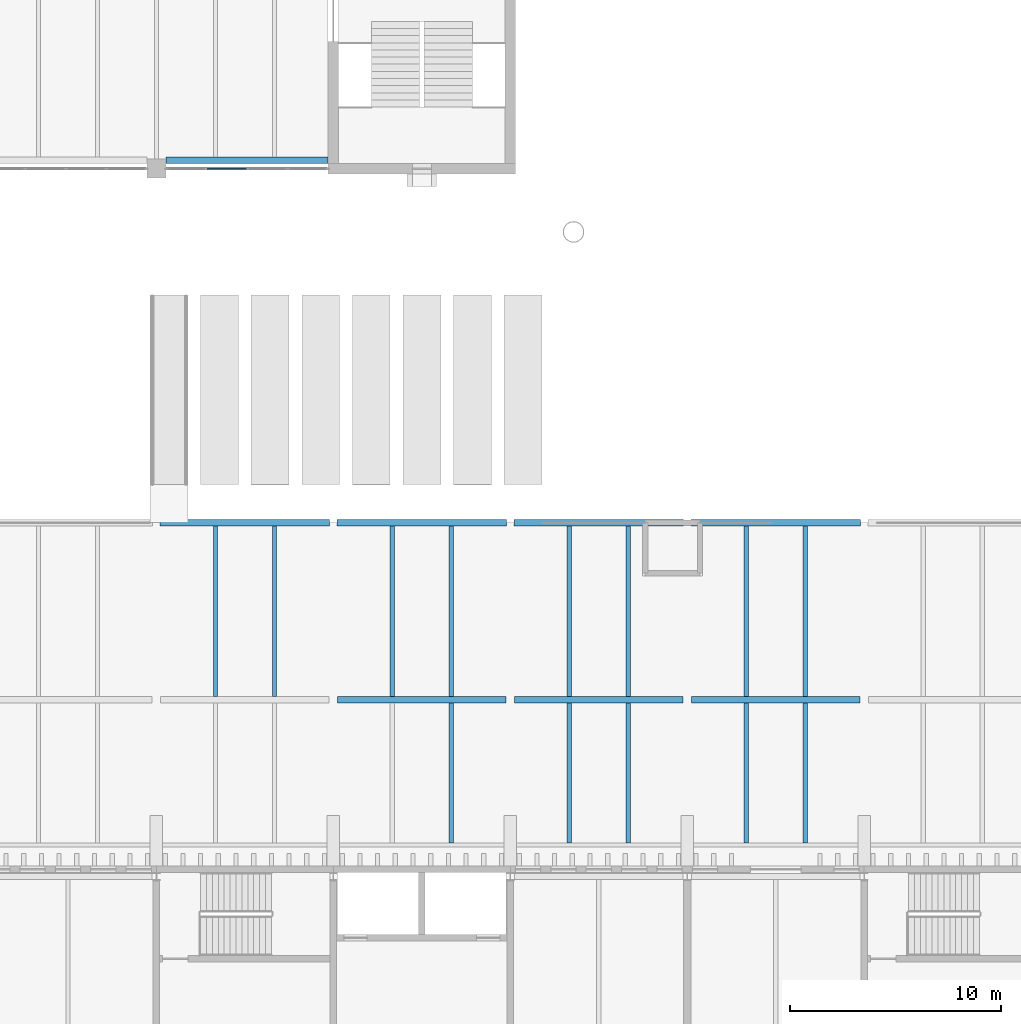
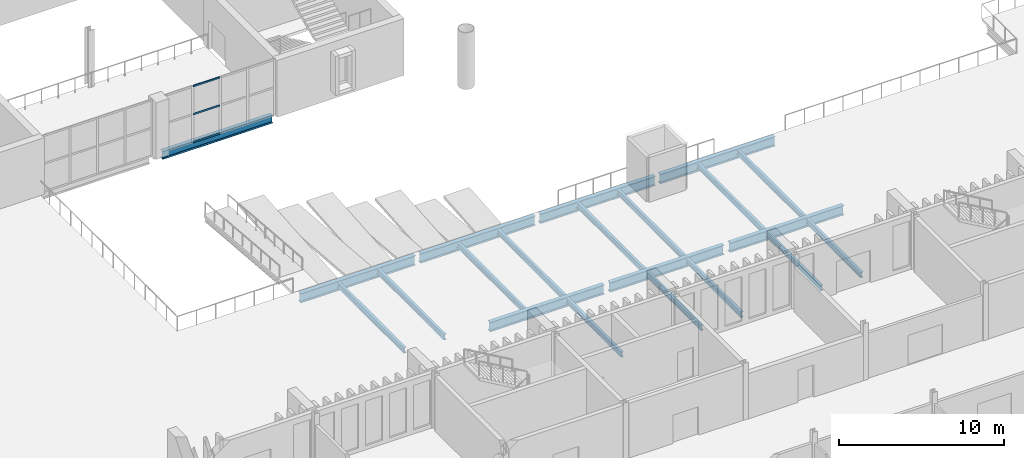
# One storey, part 31 of 96: 21 beams, 3 members, 1 element without a shape of its own.
"""IFC4 building model written with IfcOpenShell, lengths in metres."""

import ifcopenshell
import ifcopenshell.guid

model = None  # the IFC model being written
_history = None  # IfcOwnerHistory: only IFC2X3 demands one
_inside = {}  # id of a spatial element -> (the spatial element, [elements in it])
_under = {}  # id of a project, library or spatial element -> (it, [spatial elements below it])
_declared = {}  # id of a project -> (the project, [libraries it declares])
_typed = {}  # id of a type object -> (the type object, [elements of that type])
_made_of = {}  # id of a material, layer set ... -> (it, [elements and type objects made of it])


def new_model(schema):
    """Start an empty IFC model of exactly this schema.

    Asked for "IFC4X3", IfcOpenShell would pick the latest addendum, in which some entities
    have other attributes; the version numbers below select the first issue.
    IFC2X3 requires an IfcOwnerHistory on every rooted entity: one is made here for all.
    """
    global model, _history
    if schema == "IFC4X3":
        model = ifcopenshell.file(schema_version=(4, 3, 0, 0))
    else:
        model = ifcopenshell.file(schema=schema)
    _inside.clear()
    _under.clear()
    _declared.clear()
    _typed.clear()
    _made_of.clear()
    _history = None
    if model.schema == "IFC2X3":
        org = make("IfcOrganization", Name="unknown")
        user = make(
            "IfcPersonAndOrganization",
            ThePerson=make("IfcPerson", FamilyName="unknown"),
            TheOrganization=org,
        )
        app = make(
            "IfcApplication",
            ApplicationDeveloper=org,
            Version="unknown",
            ApplicationFullName="unknown",
            ApplicationIdentifier="unknown",
        )
        _history = make(
            "IfcOwnerHistory",
            OwningUser=user,
            OwningApplication=app,
            ChangeAction="ADDED",
            CreationDate=0,
        )
    return model


def make(cls, **values):
    """One entity of the class cls with the attributes given. An attribute that is None is left unset."""
    return model.create_entity(
        cls, **{name: value for name, value in values.items() if value is not None}
    )


def rooted(cls, **values):
    """An entity with a GlobalId (a new one), such as an element, a storey or a relation."""
    return make(cls, GlobalId=ifcopenshell.guid.new(), OwnerHistory=_history, **values)


def si_unit(unit_type, name, prefix=None):
    """IfcSIUnit, for example si_unit("LENGTHUNIT", "METRE", prefix="MILLI")."""
    return make("IfcSIUnit", UnitType=unit_type, Prefix=prefix, Name=name)


def assignment(units):
    """IfcUnitAssignment: the units of a project."""
    return None if units is None else make("IfcUnitAssignment", Units=units)


def point(xyz):
    """IfcCartesianPoint."""
    return None if xyz is None else make("IfcCartesianPoint", Coordinates=xyz)


def direction(xyz):
    """IfcDirection."""
    return None if xyz is None else make("IfcDirection", DirectionRatios=xyz)


def frame(location, z_axis=None, x_axis=None):
    """IfcAxis2Placement3D, a coordinate frame: its origin and axes. An axis left out is left unset."""
    return make(
        "IfcAxis2Placement3D",
        Location=point(location),
        Axis=direction(z_axis),
        RefDirection=direction(x_axis),
    )


def frame_2d(location, x_axis=None):
    """IfcAxis2Placement2D, a coordinate frame in the plane: its origin and x axis."""
    return make(
        "IfcAxis2Placement2D", Location=point(location), RefDirection=direction(x_axis)
    )


def origin():
    """The frame at (0, 0, 0) with its axes left unset."""
    return frame((0.0, 0.0, 0.0))


def origin_2d():
    """The frame at (0, 0) in the plane with its x axis left unset."""
    return frame_2d((0.0, 0.0))


def place(relative_to, where):
    """IfcLocalPlacement: puts the frame where relative to a parent placement (None: the world)."""
    return make(
        "IfcLocalPlacement", PlacementRelTo=relative_to, RelativePlacement=where
    )


def context(
    kind, dimensions, precision=None, world=None, true_north=None, identifier=None
):
    """IfcGeometricRepresentationContext, for example the 3D "Model" context."""
    return make(
        "IfcGeometricRepresentationContext",
        ContextIdentifier=identifier,
        ContextType=kind,
        CoordinateSpaceDimension=dimensions,
        Precision=precision,
        WorldCoordinateSystem=world,
        TrueNorth=true_north,
    )


def subcontext(parent, identifier, kind, view, scale=None):
    """IfcGeometricRepresentationSubContext, for example "Body" below "Model"."""
    return make(
        "IfcGeometricRepresentationSubContext",
        ContextIdentifier=identifier,
        ContextType=kind,
        ParentContext=parent,
        TargetScale=scale,
        TargetView=view,
    )


def project(units=None, contexts=None):
    """IfcProject with its units and contexts."""
    return rooted(
        "IfcProject",
        Name="project",
        RepresentationContexts=contexts,
        UnitsInContext=assignment(units),
    )


def spatial(cls, under=None, at=None, **own):
    """A site, building, storey or space (cls), placed at a placement, below another one or the project."""
    s = rooted(cls, ObjectPlacement=at, **own)
    if under is not None:
        _under.setdefault(under.id(), (under, []))[1].append(s)
    return s


def profile(cls, at=None, kind="AREA", **sizes):
    """A parametric profile (cls). Its sizes go by their IFC names, for example OverallWidth=200.0."""
    return make(cls, ProfileType=kind, Position=at, **sizes)


def rectangle(**sizes):
    """IfcRectangleProfileDef."""
    return profile("IfcRectangleProfileDef", **sizes)


def i_section(**sizes):
    """IfcIShapeProfileDef."""
    return profile("IfcIShapeProfileDef", **sizes)


def extrude(swept, where, along, depth):
    """IfcExtrudedAreaSolid: the profile swept, set in the frame where, extruded along a direction by depth."""
    return make(
        "IfcExtrudedAreaSolid",
        SweptArea=swept,
        Position=where,
        ExtrudedDirection=direction(along),
        Depth=depth,
    )


def shape(context_of_items, identifier, shape_type, items):
    """IfcShapeRepresentation: the items that make up one representation, for example the "Body"."""
    return make(
        "IfcShapeRepresentation",
        ContextOfItems=context_of_items,
        RepresentationIdentifier=identifier,
        RepresentationType=shape_type,
        Items=items,
    )


def material(Name=None, Category=None):
    """IfcMaterial."""
    return make("IfcMaterial", Name=Name, Category=Category)


def layer(
    of_material, thickness, ventilated=None, Name=None, Category=None, Priority=None
):
    """IfcMaterialLayer: one layer of a wall or slab, of a material (None: an air gap)."""
    return make(
        "IfcMaterialLayer",
        Material=of_material,
        LayerThickness=thickness,
        IsVentilated=ventilated,
        Name=Name,
        Category=Category,
        Priority=Priority,
    )


def layer_set(layers, Name=None):
    """IfcMaterialLayerSet."""
    return make("IfcMaterialLayerSet", MaterialLayers=layers, LayerSetName=Name)


def material_profile(
    of_material, cross_section, Name=None, Category=None, Priority=None
):
    """IfcMaterialProfile: a cross section and its material."""
    return make(
        "IfcMaterialProfile",
        Name=Name,
        Material=of_material,
        Profile=cross_section,
        Priority=Priority,
        Category=Category,
    )


def profile_set(profiles, Name=None, composite=None):
    """IfcMaterialProfileSet."""
    return make(
        "IfcMaterialProfileSet",
        Name=Name,
        MaterialProfiles=profiles,
        CompositeProfile=composite,
    )


def made_of(thing, what):
    """Note that an element or type object is made of a material, layer set ...; save() writes the relation."""
    if what is not None:
        _made_of.setdefault(what.id(), (what, []))[1].append(thing)
    return thing


def type_object(cls, material=None, **own):
    """A type object (cls), such as IfcWallType, which elements share."""
    return made_of(rooted(cls, **own), material)


def element(
    cls,
    number,
    at=None,
    inside=None,
    cuts=None,
    type_object=None,
    material=None,
    context=None,
    identifier="Body",
    shape_type=None,
    held_by="IfcProductDefinitionShape",
    body=None,
    shapes=None,
    **own,
):
    """One element of the class cls, such as IfcWall. Its Tag is "e" and its number.

    at: its placement. inside: the storey or other place that contains it. cuts: it is an
    opening in that element (IfcRelVoidsElement). A single representation is given by context,
    identifier, shape_type and body (its items); several are given by shapes. held_by: the class
    of the entity that holds the representations. save() writes the other relations.
    """
    e = rooted(cls, Tag="e%d" % number, ObjectPlacement=at, **own)
    if body is not None:
        shapes = [shape(context, identifier, shape_type, body)]
    if shapes is not None:
        e.Representation = make(held_by, Representations=shapes)
    if inside is not None:
        _inside.setdefault(inside.id(), (inside, []))[1].append(e)
    if cuts is not None:
        rooted(
            "IfcRelVoidsElement", RelatingBuildingElement=cuts, RelatedOpeningElement=e
        )
    if type_object is not None:
        _typed.setdefault(type_object.id(), (type_object, []))[1].append(e)
    return made_of(e, material)


def aggregate(whole, parts):
    """IfcRelAggregates: a whole, such as a stair, and the parts it consists of."""
    return rooted("IfcRelAggregates", RelatingObject=whole, RelatedObjects=parts)


def save(model, path):
    """Write the relations noted so far, then the file.

    IfcRelAggregates (storeys below a building ...), IfcRelContainedInSpatialStructure (elements
    in a storey), IfcRelDefinesByType, IfcRelAssociatesMaterial and IfcRelDeclares: one each for
    every whole, place, type object, material and project.
    """
    for whole, parts in _under.values():
        aggregate(whole, parts)
    for where, things in _inside.values():
        rooted(
            "IfcRelContainedInSpatialStructure",
            RelatedElements=things,
            RelatingStructure=where,
        )
    for kind, things in _typed.values():
        rooted("IfcRelDefinesByType", RelatedObjects=things, RelatingType=kind)
    for what, things in _made_of.values():
        rooted("IfcRelAssociatesMaterial", RelatedObjects=things, RelatingMaterial=what)
    for by, libraries in _declared.values():
        rooted("IfcRelDeclares", RelatingContext=by, RelatedDefinitions=libraries)
    model.write(path)


model = new_model("IFC4")

# Units and contexts
model_context = context("Model", 3, precision=1e-05, world=origin(), true_north=direction((0.0, 1.0)))
body_context = subcontext(model_context, "Body", "Model", "MODEL_VIEW")
ifc_project = project(units=[si_unit("LENGTHUNIT", "METRE"), si_unit("AREAUNIT", "SQUARE_METRE"), si_unit("VOLUMEUNIT", "CUBIC_METRE"), si_unit("PLANEANGLEUNIT", "RADIAN"), si_unit("MASSUNIT", "GRAM", prefix="KILO")], contexts=[model_context])

# Site, building, storey
site_placement = place(None, origin())
site = spatial("IfcSite", under=ifc_project, at=site_placement, CompositionType="ELEMENT")
building_placement = place(site_placement, origin())
building = spatial("IfcBuilding", under=site, at=building_placement, Name="Cresset Court Congress Hotel", CompositionType="ELEMENT")
storey_placement = place(building_placement, frame((0.0, 0.0, 6.0)))
storey = spatial("IfcBuildingStorey", under=building, at=storey_placement, Name="L01", CompositionType="ELEMENT", Elevation=6.0)

# Curtain wall, members
ifc_material_1 = material(Name="Aluminium and glass", Category="aluminium")
ifc_layer = layer(ifc_material_1, 0.199951171875)
ifc_layer_set = layer_set([ifc_layer], Name="Foyer curtain wall 1925 module")
curtain_wall_type = type_object("IfcCurtainWallType", Name="Foyer curtain wall 1925 module", PredefinedType="NOTDEFINED", material=ifc_layer_set)
curtain_wall_placement = place(storey_placement, origin())
curtain_wall = element("IfcCurtainWall", 1, at=curtain_wall_placement, inside=storey, type_object=curtain_wall_type, Name="Curtain wall CX-014", PredefinedType="NOTDEFINED")
ifc_material_2 = material(Name="Anodised aluminium", Category="aluminium")
ifc_material_profile_1 = material_profile(ifc_material_2, rectangle(XDim=0.06005859375, YDim=0.1201171875, at=origin_2d()), Name="AL60x120")
ifc_profile_set_1 = profile_set([ifc_material_profile_1], Name="Anodised aluminium")
member_type = type_object("IfcMemberType", Name="Curtain wall transom 60x120", PredefinedType="USERDEFINED", material=ifc_profile_set_1)
member_1_placement = place(storey_placement, frame((103.205078125, 58.800048828125, 0.030029296875), z_axis=(1.0, 0.0, 0.0), x_axis=(0.0, 1.0, 0.0)))
member_1 = element("IfcMember", 2, at=member_1_placement, type_object=member_type, Name="C-X1 transom 2.1", ObjectType="TRANSOM", PredefinedType="USERDEFINED", context=body_context, shape_type="SweptSolid", body=[
    extrude(rectangle(XDim=0.06005859375, YDim=0.1201171875, at=origin_2d()), origin(), (0.0, 0.0, 1.0), 1.864990234375),
])
member_2_placement = place(storey_placement, frame((103.205078125, 58.800048828125, 2.10009765625), z_axis=(1.0, 0.0, 0.0), x_axis=(0.0, 1.0, 0.0)))
member_2 = element("IfcMember", 3, at=member_2_placement, type_object=member_type, Name="C-X1 transom 2.2", ObjectType="TRANSOM", PredefinedType="USERDEFINED", context=body_context, shape_type="SweptSolid", body=[
    extrude(rectangle(XDim=0.06005859375, YDim=0.1201171875, at=origin_2d()), origin(), (0.0, 0.0, 1.0), 1.864990234375),
])
member_3_placement = place(storey_placement, frame((103.205078125, 58.800048828125, 4.169921875), z_axis=(1.0, 0.0, 0.0), x_axis=(0.0, 1.0, 0.0)))
member_3 = element("IfcMember", 4, at=member_3_placement, type_object=member_type, Name="C-X1 transom 2.3", ObjectType="TRANSOM", PredefinedType="USERDEFINED", context=body_context, shape_type="SweptSolid", body=[
    extrude(rectangle(XDim=0.06005859375, YDim=0.1201171875, at=origin_2d()), origin(), (0.0, 0.0, 1.0), 1.864990234375),
])
aggregate(curtain_wall, [member_1, member_2, member_3])

# Beams
ifc_material_3 = material(Name="Structural steel Q355B", Category="steel")
ifc_material_profile_2 = material_profile(ifc_material_3, i_section(OverallWidth=0.300048828125, OverallDepth=0.587890625, WebThickness=0.011962890625, FlangeThickness=0.02001953125, FilletRadius=0.028076171875, at=origin_2d()), Name="HM588x300x12x20")
ifc_profile_set_2 = profile_set([ifc_material_profile_2], Name="Structural steel Q355B")
beam_type_1 = type_object("IfcBeamType", Name="Steel HM588x300x12x20 girder", PredefinedType="BEAM", material=ifc_profile_set_2)
beam_1_placement = place(storey_placement, frame((101.25, 59.199951171875, -0.444091796875), z_axis=(1.0, 0.0, 0.0), x_axis=(0.0, 1.0, 0.0)))
element("IfcBeam", 5, at=beam_1_placement, inside=storey, type_object=beam_type_1, Name="Girder CG-F018", PredefinedType="BEAM", context=body_context, shape_type="SweptSolid", body=[
    extrude(i_section(OverallWidth=0.300048828125, OverallDepth=0.587890625, WebThickness=0.011962890625, FlangeThickness=0.02001953125, FilletRadius=0.028076171875, at=origin_2d()), origin(), (0.0, 0.0, 1.0), 7.699951171875),
])
ifc_material_4 = material(Name="Structural steel Q355B", Category="steel")
ifc_material_profile_3 = material_profile(ifc_material_4, i_section(OverallWidth=0.199951171875, OverallDepth=0.39990234375, WebThickness=0.008056640625, FlangeThickness=0.012939453125, FilletRadius=0.01611328125, at=origin_2d()), Name="HN400x200x8x13")
ifc_profile_set_3 = profile_set([ifc_material_profile_3], Name="Structural steel Q355B")
beam_type_2 = type_object("IfcBeamType", Name="Steel beam HN400x200x8x13", PredefinedType="BEAM", material=ifc_profile_set_3)
for number, where, z_axis, x_axis, name in (
    (6, (103.60009765625, 33.75, -0.35009765625), (0.0, 1.0, 0.0), (-1.0, 0.0, 0.0), "S.dbm.L01.S046"),
    (7, (106.39990234375, 33.75, -0.35009765625), (0.0, 1.0, 0.0), (-1.0, 0.0, 0.0), "S.dbm.L01.S048"),
    (8, (112.0, 33.75, -0.35009765625), (0.0, 1.0, 0.0), (-1.0, 0.0, 0.0), "S.dbm.L01.S050"),
):
    element("IfcBeam", number, at=place(storey_placement, frame(where, z_axis=z_axis, x_axis=x_axis)), inside=storey, type_object=beam_type_2, Name=name, PredefinedType="BEAM", context=body_context, shape_type="SweptSolid", body=[
        extrude(i_section(OverallWidth=0.199951171875, OverallDepth=0.39990234375, WebThickness=0.008056640625, FlangeThickness=0.012939453125, FilletRadius=0.01611328125, at=origin_2d()), origin(), (0.0, 0.0, 1.0), 8.10009765625),
    ])
beam_2_placement = place(storey_placement, frame((114.800048828125, 26.800048828125, -0.35009765625), z_axis=(0.0, 1.0, 0.0), x_axis=(-1.0, 0.0, 0.0)))
element("IfcBeam", 9, at=beam_2_placement, inside=storey, type_object=beam_type_2, Name="S.dbm.L01.S051", PredefinedType="BEAM", context=body_context, shape_type="SweptSolid", body=[
    extrude(i_section(OverallWidth=0.199951171875, OverallDepth=0.39990234375, WebThickness=0.008056640625, FlangeThickness=0.012939453125, FilletRadius=0.01611328125, at=origin_2d()), origin(), (0.0, 0.0, 1.0), 6.64990234375),
])
beam_3_placement = place(storey_placement, frame((114.800048828125, 33.75, -0.35009765625), z_axis=(0.0, 1.0, 0.0), x_axis=(-1.0, 0.0, 0.0)))
element("IfcBeam", 10, at=beam_3_placement, inside=storey, type_object=beam_type_2, Name="S.dbm.L01.S052", PredefinedType="BEAM", context=body_context, shape_type="SweptSolid", body=[
    extrude(i_section(OverallWidth=0.199951171875, OverallDepth=0.39990234375, WebThickness=0.008056640625, FlangeThickness=0.012939453125, FilletRadius=0.01611328125, at=origin_2d()), origin(), (0.0, 0.0, 1.0), 8.10009765625),
])
beam_4_placement = place(storey_placement, frame((120.39990234375, 26.800048828125, -0.35009765625), z_axis=(0.0, 1.0, 0.0), x_axis=(-1.0, 0.0, 0.0)))
element("IfcBeam", 11, at=beam_4_placement, inside=storey, type_object=beam_type_2, Name="S.dbm.L01.S053", PredefinedType="BEAM", context=body_context, shape_type="SweptSolid", body=[
    extrude(i_section(OverallWidth=0.199951171875, OverallDepth=0.39990234375, WebThickness=0.008056640625, FlangeThickness=0.012939453125, FilletRadius=0.01611328125, at=origin_2d()), origin(), (0.0, 0.0, 1.0), 6.64990234375),
])
beam_5_placement = place(storey_placement, frame((120.39990234375, 33.75, -0.35009765625), z_axis=(0.0, 1.0, 0.0), x_axis=(-1.0, 0.0, 0.0)))
element("IfcBeam", 12, at=beam_5_placement, inside=storey, type_object=beam_type_2, Name="S.dbm.L01.S054", PredefinedType="BEAM", context=body_context, shape_type="SweptSolid", body=[
    extrude(i_section(OverallWidth=0.199951171875, OverallDepth=0.39990234375, WebThickness=0.008056640625, FlangeThickness=0.012939453125, FilletRadius=0.01611328125, at=origin_2d()), origin(), (0.0, 0.0, 1.0), 8.10009765625),
])
beam_6_placement = place(storey_placement, frame((123.199951171875, 26.800048828125, -0.35009765625), z_axis=(0.0, 1.0, 0.0), x_axis=(-1.0, 0.0, 0.0)))
element("IfcBeam", 13, at=beam_6_placement, inside=storey, type_object=beam_type_2, Name="S.dbm.L01.S055", PredefinedType="BEAM", context=body_context, shape_type="SweptSolid", body=[
    extrude(i_section(OverallWidth=0.199951171875, OverallDepth=0.39990234375, WebThickness=0.008056640625, FlangeThickness=0.012939453125, FilletRadius=0.01611328125, at=origin_2d()), origin(), (0.0, 0.0, 1.0), 6.64990234375),
])
beam_7_placement = place(storey_placement, frame((123.199951171875, 33.75, -0.35009765625), z_axis=(0.0, 1.0, 0.0), x_axis=(-1.0, 0.0, 0.0)))
element("IfcBeam", 14, at=beam_7_placement, inside=storey, type_object=beam_type_2, Name="S.dbm.L01.S056", PredefinedType="BEAM", context=body_context, shape_type="SweptSolid", body=[
    extrude(i_section(OverallWidth=0.199951171875, OverallDepth=0.39990234375, WebThickness=0.008056640625, FlangeThickness=0.012939453125, FilletRadius=0.01611328125, at=origin_2d()), origin(), (0.0, 0.0, 1.0), 8.10009765625),
])
beam_8_placement = place(storey_placement, frame((128.800048828125, 26.800048828125, -0.35009765625), z_axis=(0.0, 1.0, 0.0), x_axis=(-1.0, 0.0, 0.0)))
element("IfcBeam", 15, at=beam_8_placement, inside=storey, type_object=beam_type_2, Name="S.dbm.L01.S057", PredefinedType="BEAM", context=body_context, shape_type="SweptSolid", body=[
    extrude(i_section(OverallWidth=0.199951171875, OverallDepth=0.39990234375, WebThickness=0.008056640625, FlangeThickness=0.012939453125, FilletRadius=0.01611328125, at=origin_2d()), origin(), (0.0, 0.0, 1.0), 6.64990234375),
])
beam_9_placement = place(storey_placement, frame((128.800048828125, 33.75, -0.35009765625), z_axis=(0.0, 1.0, 0.0), x_axis=(-1.0, 0.0, 0.0)))
element("IfcBeam", 16, at=beam_9_placement, inside=storey, type_object=beam_type_2, Name="S.dbm.L01.S058", PredefinedType="BEAM", context=body_context, shape_type="SweptSolid", body=[
    extrude(i_section(OverallWidth=0.199951171875, OverallDepth=0.39990234375, WebThickness=0.008056640625, FlangeThickness=0.012939453125, FilletRadius=0.01611328125, at=origin_2d()), origin(), (0.0, 0.0, 1.0), 8.10009765625),
])
beam_10_placement = place(storey_placement, frame((131.60009765625, 26.800048828125, -0.35009765625), z_axis=(0.0, 1.0, 0.0), x_axis=(-1.0, 0.0, 0.0)))
element("IfcBeam", 17, at=beam_10_placement, inside=storey, type_object=beam_type_2, Name="S.dbm.L01.S059", PredefinedType="BEAM", context=body_context, shape_type="SweptSolid", body=[
    extrude(i_section(OverallWidth=0.199951171875, OverallDepth=0.39990234375, WebThickness=0.008056640625, FlangeThickness=0.012939453125, FilletRadius=0.01611328125, at=origin_2d()), origin(), (0.0, 0.0, 1.0), 6.64990234375),
])
beam_11_placement = place(storey_placement, frame((131.60009765625, 33.75, -0.35009765625), z_axis=(0.0, 1.0, 0.0), x_axis=(-1.0, 0.0, 0.0)))
element("IfcBeam", 18, at=beam_11_placement, inside=storey, type_object=beam_type_2, Name="S.dbm.L01.S060", PredefinedType="BEAM", context=body_context, shape_type="SweptSolid", body=[
    extrude(i_section(OverallWidth=0.199951171875, OverallDepth=0.39990234375, WebThickness=0.008056640625, FlangeThickness=0.012939453125, FilletRadius=0.01611328125, at=origin_2d()), origin(), (0.0, 0.0, 1.0), 8.10009765625),
])
ifc_material_5 = material(Name="Structural steel Q355B", Category="steel")
ifc_material_profile_4 = material_profile(ifc_material_5, i_section(OverallWidth=0.300048828125, OverallDepth=0.699951171875, WebThickness=0.012939453125, FlangeThickness=0.02392578125, FilletRadius=0.01806640625, at=origin_2d()), Name="HN700x300x13x24")
ifc_profile_set_4 = profile_set([ifc_material_profile_4], Name="Structural steel Q355B")
beam_type_3 = type_object("IfcBeamType", Name="Steel beam HN700x300x13x24", PredefinedType="BEAM", material=ifc_profile_set_4)
for number, where, z_axis, x_axis, name in (
    (19, (109.39990234375, 33.60009765625, -0.5), (1.0, 0.0, 0.0), (0.0, 1.0, 0.0), "S.dbm.L01.P031"),
    (20, (117.800048828125, 33.60009765625, -0.5), (1.0, 0.0, 0.0), (0.0, 1.0, 0.0), "S.dbm.L01.P032"),
    (21, (126.199951171875, 33.60009765625, -0.5), (1.0, 0.0, 0.0), (0.0, 1.0, 0.0), "S.dbm.L01.P033"),
):
    element("IfcBeam", number, at=place(storey_placement, frame(where, z_axis=z_axis, x_axis=x_axis)), inside=storey, type_object=beam_type_3, Name=name, PredefinedType="BEAM", context=body_context, shape_type="SweptSolid", body=[
        extrude(i_section(OverallWidth=0.300048828125, OverallDepth=0.699951171875, WebThickness=0.012939453125, FlangeThickness=0.02392578125, FilletRadius=0.01806640625, at=origin_2d()), origin(), (0.0, 0.0, 1.0), 8.0),
    ])
beam_12_placement = place(storey_placement, frame((100.97509765625, 42.0, -0.5), z_axis=(1.0, 0.0, 0.0), x_axis=(0.0, 1.0, 0.0)))
element("IfcBeam", 22, at=beam_12_placement, inside=storey, type_object=beam_type_3, Name="S.dbm.L01.P048", PredefinedType="BEAM", context=body_context, shape_type="SweptSolid", body=[
    extrude(i_section(OverallWidth=0.300048828125, OverallDepth=0.699951171875, WebThickness=0.012939453125, FlangeThickness=0.02392578125, FilletRadius=0.01806640625, at=origin_2d()), origin(), (0.0, 0.0, 1.0), 8.0498046875),
])
for number, where, z_axis, x_axis, name in (
    (23, (109.375, 42.0, -0.5), (1.0, 0.0, 0.0), (0.0, 1.0, 0.0), "S.dbm.L01.P049"),
    (24, (117.77490234375, 42.0, -0.5), (1.0, 0.0, 0.0), (0.0, 1.0, 0.0), "S.dbm.L01.P050"),
    (25, (126.175048828125, 42.0, -0.5), (1.0, 0.0, 0.0), (0.0, 1.0, 0.0), "S.dbm.L01.P051"),
):
    element("IfcBeam", number, at=place(storey_placement, frame(where, z_axis=z_axis, x_axis=x_axis)), inside=storey, type_object=beam_type_3, Name=name, PredefinedType="BEAM", context=body_context, shape_type="SweptSolid", body=[
        extrude(i_section(OverallWidth=0.300048828125, OverallDepth=0.699951171875, WebThickness=0.012939453125, FlangeThickness=0.02392578125, FilletRadius=0.01806640625, at=origin_2d()), origin(), (0.0, 0.0, 1.0), 8.050048828125),
    ])

save(model, "model.ifc")
